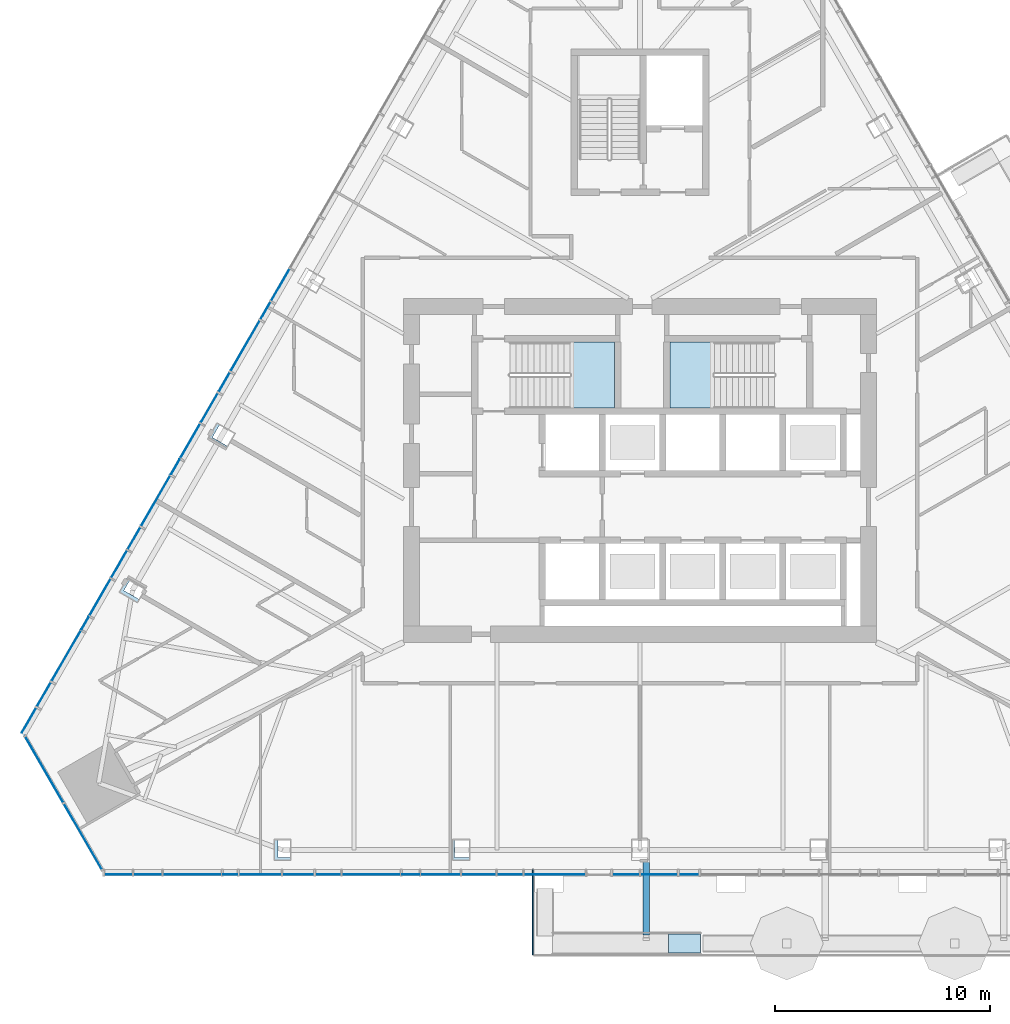
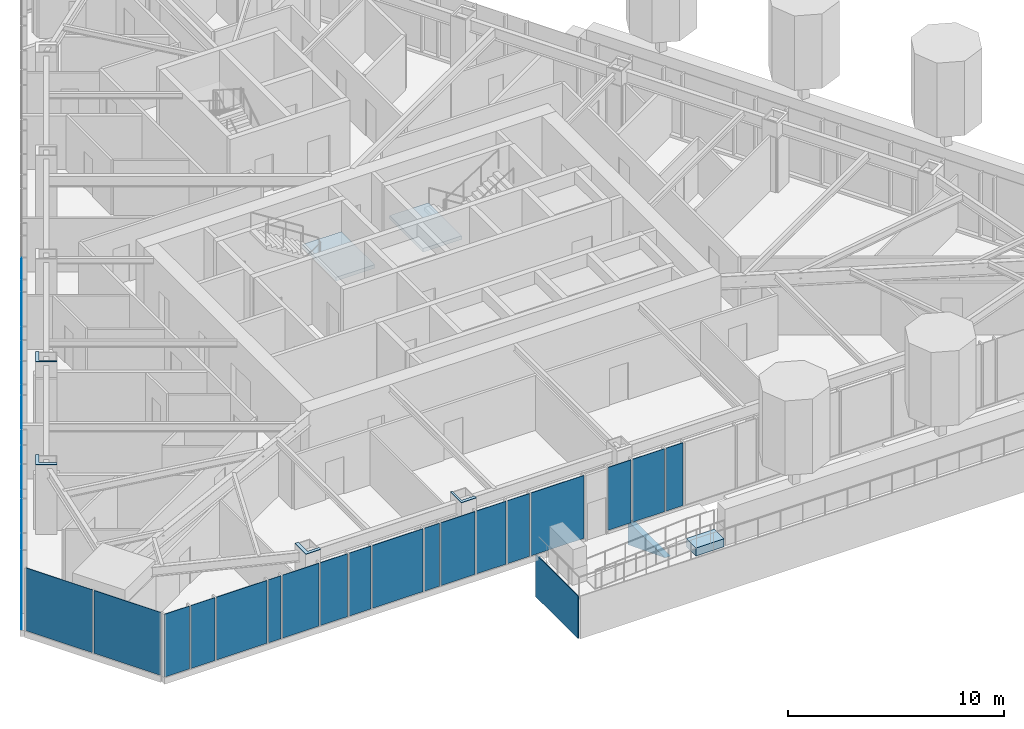
# One storey, part 7 of 18: 39 plates, 3 slabs, 5 elements without a shape of their own.
"""IFC4 building model written with IfcOpenShell, lengths in metres."""

from ifc_helpers import new_model, si_unit, direction, frame, origin, place, context, subcontext, project, spatial, polyline, outline, extrude, material, layer, layer_set, type_object, element, aggregate, save


model = new_model("IFC4")

# Units and contexts
model_context = context("Model", 3, precision=1e-05, world=origin(), true_north=direction((0.0, 1.0)))
body_context = subcontext(model_context, "Body", "Model", "MODEL_VIEW")
ifc_project = project(units=[si_unit("LENGTHUNIT", "METRE"), si_unit("AREAUNIT", "SQUARE_METRE"), si_unit("VOLUMEUNIT", "CUBIC_METRE"), si_unit("PLANEANGLEUNIT", "RADIAN"), si_unit("MASSUNIT", "GRAM", prefix="KILO")], contexts=[model_context])

# Site, building, storey
site_placement = place(None, origin())
site = spatial("IfcSite", under=ifc_project, at=site_placement, CompositionType="ELEMENT")
building_placement = place(site_placement, origin())
building = spatial("IfcBuilding", under=site, at=building_placement, Name="Firuza Gate Tower and Library", CompositionType="ELEMENT")
storey_placement = place(building_placement, frame((0.0, 0.0, 226.0)))
storey = spatial("IfcBuildingStorey", under=building, at=storey_placement, Name="L53", CompositionType="ELEMENT", Elevation=226.0)

# Plates
ifc_material_1 = material(Name="Steel S355", Category="steel")
ifc_layer_1 = layer(ifc_material_1, 0.030029296875)
ifc_layer_set_1 = layer_set([ifc_layer_1], Name="Column infill plate 30 Steel S355")
plate_type_1 = type_object("IfcPlateType", Name="Column infill plate 30 Steel S355", PredefinedType="SHEET", material=ifc_layer_set_1)
placement_1 = place(storey_placement, frame((0.0, 0.0, 3.89990234375)))
element("IfcPlate", 1, at=placement_1, inside=storey, type_object=plate_type_1, Name="Infill plate L53:S1", PredefinedType="SHEET", context=body_context, shape_type="SweptSolid", body=[
    extrude(outline(polyline([(58.764892578125, 56.836669921875), (58.764892578125, 56.99609375), (58.14892578125, 56.99609375), (58.14892578125, 57.836669921875), (57.96484375, 57.836669921875), (57.96484375, 56.836669921875), (58.764892578125, 56.836669921875)])), origin(), (0.0, 0.0, 1.0), 0.030029296875),
])
element("IfcPlate", 2, at=placement_1, inside=storey, type_object=plate_type_1, Name="Infill plate L53:S2", PredefinedType="SHEET", context=body_context, shape_type="SweptSolid", body=[
    extrude(outline(polyline([(67.08251953125, 56.836669921875), (67.08251953125, 56.99609375), (66.37451171875, 56.99609375), (66.37451171875, 57.836669921875), (66.282470703125, 57.836669921875), (66.282470703125, 56.836669921875), (67.08251953125, 56.836669921875)])), origin(), (0.0, 0.0, 1.0), 0.030029296875),
])
element("IfcPlate", 3, at=placement_1, inside=storey, type_object=plate_type_1, Name="Infill plate L53:W4", PredefinedType="SHEET", context=body_context, shape_type="SweptSolid", body=[
    extrude(outline(polyline([(55.77734375, 76.031982421875), (55.8232421875, 76.11181640625), (55.09521484375, 76.531982421875), (55.44921875, 77.145263671875), (55.311279296875, 77.224853515625), (54.9111328125, 76.531982421875), (55.77734375, 76.031982421875)])), origin(), (0.0, 0.0, 1.0), 0.030029296875),
])
element("IfcPlate", 4, at=placement_1, inside=storey, type_object=plate_type_1, Name="Infill plate L53:W5", PredefinedType="SHEET", context=body_context, shape_type="SweptSolid", body=[
    extrude(outline(polyline([(51.618408203125, 68.828857421875), (51.71044921875, 68.98828125), (50.982666015625, 69.408447265625), (51.29052734375, 69.94189453125), (51.15234375, 70.021728515625), (50.75244140625, 69.328857421875), (51.618408203125, 68.828857421875)])), origin(), (0.0, 0.0, 1.0), 0.030029296875),
])

# Curtain wall, plates
ifc_material_2 = material(Name="Aluminium 6063-T6", Category="aluminium")
ifc_layer_2 = layer(ifc_material_2, 0.14990234375)
ifc_layer_set_2 = layer_set([ifc_layer_2], Name="Corner curtain wall, chamfers")
curtain_wall_type_1 = type_object("IfcCurtainWallType", Name="Corner curtain wall, chamfers", PredefinedType="NOTDEFINED", material=ifc_layer_set_2)
placement_2 = place(storey_placement, origin())
curtain_wall_1 = element("IfcCurtainWall", 5, at=placement_2, inside=storey, type_object=curtain_wall_type_1, Name="CW4 L53 SW corner", PredefinedType="NOTDEFINED")
ifc_material_3 = material(Name="Fritted glass", Category="glass")
ifc_layer_3 = layer(ifc_material_3, 0.030029296875)
ifc_layer_set_3 = layer_set([ifc_layer_3], Name="Fritted glass unit, corners")
plate_type_2 = type_object("IfcPlateType", Name="Fritted glass unit, corners", PredefinedType="CURTAIN_PANEL", material=ifc_layer_set_3)
plate_5_placement = place(storey_placement, frame((46.36767578125, 62.6298828125, 0.14990234375), z_axis=(-0.866046390552, -0.49996364809, 0.0), x_axis=(0.49996364809, -0.866046390552, 0.0)))
plate_5 = element("IfcPlate", 6, at=plate_5_placement, type_object=plate_type_2, Name="Glass unit", PredefinedType="CURTAIN_PANEL", context=body_context, shape_type="SweptSolid", body=[
    extrude(outline(polyline([(0.0, 0.0), (3.563247342942594, 0.0), (3.563247342942594, 3.550048828125), (0.0, 3.550048828125), (0.0, 0.0)])), origin(), (0.0, 0.0, -1.0), 0.030029296875),
])
plate_6_placement = place(storey_placement, frame((48.189208984375, 59.474609375, 0.14990234375), z_axis=(-0.866016723041, -0.500015035186, 0.0), x_axis=(0.500015035186, -0.866016723041, 0.0)))
plate_6 = element("IfcPlate", 7, at=plate_6_placement, type_object=plate_type_2, Name="Glass unit", PredefinedType="CURTAIN_PANEL", context=body_context, shape_type="SweptSolid", body=[
    extrude(outline(polyline([(0.0, 0.0), (3.5633694106530625, 0.0), (3.5633694106530625, 3.550048828125), (0.0, 3.550048828125), (0.0, 0.0)])), origin(), (0.0, 0.0, -1.0), 0.030029296875),
])
aggregate(curtain_wall_1, [plate_5, plate_6])

ifc_material_4 = material(Name="Aluminium 6063-T6", Category="aluminium")
ifc_layer_4 = layer(ifc_material_4, 0.14990234375)
ifc_layer_set_4 = layer_set([ifc_layer_4], Name="Unitised curtain wall, hotel")
curtain_wall_type_2 = type_object("IfcCurtainWallType", Name="Unitised curtain wall, hotel", PredefinedType="NOTDEFINED", material=ifc_layer_set_4)
curtain_wall_2 = element("IfcCurtainWall", 8, at=placement_2, inside=storey, type_object=curtain_wall_type_2, Name="CW2 L53 S face", PredefinedType="NOTDEFINED")
ifc_material_5 = material(Name="Fritted glass", Category="glass")
ifc_layer_5 = layer(ifc_material_5, 0.030029296875)
ifc_layer_set_5 = layer_set([ifc_layer_5], Name="Fritted glass unit, hotel")
plate_type_3 = type_object("IfcPlateType", Name="Fritted glass unit, hotel", PredefinedType="CURTAIN_PANEL", material=ifc_layer_set_5)
plate_7_placement = place(storey_placement, frame((50.0439453125, 56.176513671875, 0.14990234375), z_axis=(0.0, -1.0, 0.0), x_axis=(1.0, 0.0, 0.0)))
plate_7 = element("IfcPlate", 9, at=plate_7_placement, type_object=plate_type_3, Name="Glass unit", PredefinedType="CURTAIN_PANEL", context=body_context, shape_type="SweptSolid", body=[
    extrude(outline(polyline([(0.0, 0.0), (1.328369140625, 0.0), (1.328369140625, 3.550048828125), (0.0, 3.550048828125), (0.0, 0.0)])), origin(), (0.0, 0.0, -1.0), 0.030029296875),
])
plate_8_placement = place(storey_placement, frame((56.349365234375, 56.176513671875, 0.14990234375), z_axis=(0.0, -1.0, 0.0), x_axis=(1.0, 0.0, 0.0)))
plate_8 = element("IfcPlate", 10, at=plate_8_placement, type_object=plate_type_3, Name="Glass unit", PredefinedType="CURTAIN_PANEL", context=body_context, shape_type="SweptSolid", body=[
    extrude(outline(polyline([(0.0, 0.0), (1.946533203125, 0.0), (1.946533203125, 3.550048828125), (0.0, 3.550048828125), (0.0, 0.0)])), origin(), (0.0, 0.0, -1.0), 0.030029296875),
])
plate_9_placement = place(storey_placement, frame((58.3759765625, 56.176513671875, 0.14990234375), z_axis=(0.0, -1.0, 0.0), x_axis=(1.0, 0.0, 0.0)))
plate_9 = element("IfcPlate", 11, at=plate_9_placement, type_object=plate_type_3, Name="Glass unit", PredefinedType="CURTAIN_PANEL", context=body_context, shape_type="SweptSolid", body=[
    extrude(outline(polyline([(0.0, 0.0), (1.451904296875, 0.0), (1.451904296875, 3.550048828125), (0.0, 3.550048828125), (0.0, 0.0)])), origin(), (0.0, 0.0, -1.0), 0.030029296875),
])
plate_10_placement = place(storey_placement, frame((64.80517578125, 56.176513671875, 0.14990234375), z_axis=(0.0, -1.0, 0.0), x_axis=(1.0, 0.0, 0.0)))
plate_10 = element("IfcPlate", 12, at=plate_10_placement, type_object=plate_type_3, Name="Glass unit", PredefinedType="CURTAIN_PANEL", context=body_context, shape_type="SweptSolid", body=[
    extrude(outline(polyline([(0.0, 0.0), (1.82275390625, 0.0), (1.82275390625, 3.550048828125), (0.0, 3.550048828125), (0.0, 0.0)])), origin(), (0.0, 0.0, -1.0), 0.030029296875),
])
plate_11_placement = place(storey_placement, frame((66.7080078125, 56.176513671875, 0.14990234375), z_axis=(0.0, -1.0, 0.0), x_axis=(1.0, 0.0, 0.0)))
plate_11 = element("IfcPlate", 13, at=plate_11_placement, type_object=plate_type_3, Name="Glass unit", PredefinedType="CURTAIN_PANEL", context=body_context, shape_type="SweptSolid", body=[
    extrude(outline(polyline([(0.0, 0.0), (1.575439453125, 0.0), (1.575439453125, 3.550048828125), (0.0, 3.550048828125), (0.0, 0.0)])), origin(), (0.0, 0.0, -1.0), 0.030029296875),
])
plate_12_placement = place(storey_placement, frame((73.72802734375, 56.176513671875, 0.14990234375), z_axis=(0.0, -1.0, 0.0), x_axis=(1.0, 0.0, 0.0)))
plate_12 = element("IfcPlate", 14, at=plate_12_placement, type_object=plate_type_3, Name="Glass unit", PredefinedType="CURTAIN_PANEL", context=body_context, shape_type="SweptSolid", body=[
    extrude(outline(polyline([(0.0, 0.0), (1.23193359375, 0.0), (1.23193359375, 3.550048828125), (0.0, 3.550048828125), (0.0, 0.0)])), origin(), (0.0, 0.0, -1.0), 0.030029296875),
])
plate_13_placement = place(storey_placement, frame((75.0400390625, 56.176513671875, 0.14990234375), z_axis=(0.0, -1.0, 0.0), x_axis=(1.0, 0.0, 0.0)))
plate_13 = element("IfcPlate", 15, at=plate_13_placement, type_object=plate_type_3, Name="Glass unit", PredefinedType="CURTAIN_PANEL", context=body_context, shape_type="SweptSolid", body=[
    extrude(outline(polyline([(0.0, 0.0), (1.69921875, 0.0), (1.69921875, 3.550048828125), (0.0, 3.550048828125), (0.0, 0.0)])), origin(), (0.0, 0.0, -1.0), 0.030029296875),
])

curtain_wall_3 = element("IfcCurtainWall", 16, at=placement_2, inside=storey, type_object=curtain_wall_type_2, Name="CW2 L53 W face", PredefinedType="NOTDEFINED")
plate_14_placement = place(storey_placement, frame((58.678466796875, 84.376953125, 0.14990234375), z_axis=(-0.866006119872, 0.500033399229, 0.0), x_axis=(-0.500033399229, -0.866006119872, 0.0)))
plate_14 = element("IfcPlate", 17, at=plate_14_placement, type_object=plate_type_3, Name="Glass unit", PredefinedType="CURTAIN_PANEL", context=body_context, shape_type="SweptSolid", body=[
    extrude(outline(polyline([(0.0, 0.0), (1.699105252388804, 0.0), (1.699105252388804, 3.550048828125001), (0.0, 3.550048828125001), (0.0, 0.0)])), origin(), (0.0, 0.0, -1.0), 0.030029296875),
])
plate_15_placement = place(storey_placement, frame((55.34033203125, 78.594970703125, 0.14990234375), z_axis=(-0.865973950769, 0.500089108649, 0.0), x_axis=(-0.500089108649, -0.865973950769, 0.0)))
plate_15 = element("IfcPlate", 18, at=plate_15_placement, type_object=plate_type_3, Name="Glass unit", PredefinedType="CURTAIN_PANEL", context=body_context, shape_type="SweptSolid", body=[
    extrude(outline(polyline([(0.0, 0.0), (1.5754028297138842, 0.0), (1.5754028297138842, 3.550048828125), (0.0, 3.550048828125), (0.0, 0.0)])), origin(), (0.0, 0.0, -1.0), 0.030029296875),
])
plate_16_placement = place(storey_placement, frame((54.512451171875, 77.161376953125, 0.14990234375), z_axis=(-0.86603391986, 0.499985249434, 0.0), x_axis=(-0.499985249434, -0.86603391986, 0.0)))
plate_16 = element("IfcPlate", 19, at=plate_16_placement, type_object=plate_type_3, Name="Glass unit", PredefinedType="CURTAIN_PANEL", context=body_context, shape_type="SweptSolid", body=[
    extrude(outline(polyline([(0.0, 0.0), (1.8228076811409097, 0.0), (1.8228076811409097, 3.550048828125), (0.0, 3.550048828125), (0.0, 0.0)])), origin(), (0.0, 0.0, -1.0), 0.030029296875),
])
plate_17_placement = place(storey_placement, frame((51.1123046875, 71.272216796875, 0.14990234375), z_axis=(-0.866051171823, 0.499955365792, 0.0), x_axis=(-0.499955365792, -0.866051171823, 0.0)))
plate_17 = element("IfcPlate", 20, at=plate_17_placement, type_object=plate_type_3, Name="Glass unit", PredefinedType="CURTAIN_PANEL", context=body_context, shape_type="SweptSolid", body=[
    extrude(outline(polyline([(0.0, 0.0), (1.4517897552215477, 0.0), (1.4517897552215477, 3.550048828125001), (0.0, 3.550048828125001), (0.0, 0.0)])), origin(), (0.0, 0.0, -1.0), 0.030029296875),
])
plate_18_placement = place(storey_placement, frame((50.346435546875, 69.945556640625, 0.14990234375), z_axis=(-0.866058184233, 0.499943218299, 0.0), x_axis=(-0.499943218299, -0.866058184233, 0.0)))
plate_18 = element("IfcPlate", 21, at=plate_18_placement, type_object=plate_type_3, Name="Glass unit", PredefinedType="CURTAIN_PANEL", context=body_context, shape_type="SweptSolid", body=[
    extrude(outline(polyline([(0.0, 0.0), (1.94651011481157, 0.0), (1.94651011481157, 3.550048828125), (0.0, 3.550048828125), (0.0, 0.0)])), origin(), (0.0, 0.0, -1.0), 0.030029296875),
])
plate_19_placement = place(storey_placement, frame((46.884521484375, 63.949462890625, 0.14990234375), z_axis=(-0.866063163075, 0.499934593286, 0.0), x_axis=(-0.499934593286, -0.866063163075, 0.0)))
plate_19 = element("IfcPlate", 22, at=plate_19_placement, type_object=plate_type_3, Name="Glass unit", PredefinedType="CURTAIN_PANEL", context=body_context, shape_type="SweptSolid", body=[
    extrude(outline(polyline([(0.0, 0.0), (1.3282987593136344, 0.0), (1.3282987593136344, 3.550048828125), (0.0, 3.550048828125), (0.0, 0.0)])), origin(), (0.0, 0.0, -1.0), 0.030029296875),
])

# Slab
ifc_material_6 = material(Name="Concrete C40/50", Category="concrete")
ifc_layer_6 = layer(ifc_material_6, 0.449951171875)
ifc_layer_set_6 = layer_set([ifc_layer_6], Name="Garden deck 450")
slab_type_1 = type_object("IfcSlabType", Name="Garden deck 450", PredefinedType="FLOOR", material=ifc_layer_set_6)
element("IfcSlab", 23, at=placement_2, inside=storey, type_object=slab_type_1, Name="Garden deck 6", PredefinedType="FLOOR", context=body_context, shape_type="SweptSolid", body=[
    extrude(outline(polyline([(76.324462890625, 52.53662109375), (77.825927734375, 52.53662109375), (77.825927734375, 53.4365234375), (76.324462890625, 53.4365234375), (76.324462890625, 52.53662109375)])), origin(), (0.0, 0.0, 1.0), 0.449951171875),
])

# Plate
ifc_material_7 = material(Name="Glazed ceramic tile")
ifc_layer_7 = layer(ifc_material_7, 0.030029296875)
ifc_layer_set_7 = layer_set([ifc_layer_7], Name="Opaque ceramic panel, hotel")
plate_type_4 = type_object("IfcPlateType", Name="Opaque ceramic panel, hotel", PredefinedType="CURTAIN_PANEL", material=ifc_layer_set_7)
plate_20_placement = place(storey_placement, frame((51.4521484375, 56.176513671875, 0.14990234375), z_axis=(0.0, -1.0, 0.0), x_axis=(1.0, 0.0, 0.0)))
plate_20 = element("IfcPlate", 24, at=plate_20_placement, type_object=plate_type_4, Name="Opaque ceramic panel", PredefinedType="CURTAIN_PANEL", context=body_context, shape_type="SweptSolid", body=[
    extrude(outline(polyline([(0.0, 0.0), (1.2890625, 0.0), (1.2890625, 3.550048828125), (0.0, 3.550048828125), (0.0, 0.0)])), origin(), (0.0, 0.0, -1.0), 0.030029296875),
])

plate_21_placement = place(storey_placement, frame((52.8212890625, 56.176513671875, 0.14990234375), z_axis=(0.0, -1.0, 0.0), x_axis=(1.0, 0.0, 0.0)))
plate_21 = element("IfcPlate", 25, at=plate_21_placement, type_object=plate_type_4, Name="Opaque ceramic panel", PredefinedType="CURTAIN_PANEL", context=body_context, shape_type="SweptSolid", body=[
    extrude(outline(polyline([(0.0, 0.0), (2.697265625, 0.0), (2.697265625, 3.550048828125), (0.0, 3.550048828125), (0.0, 0.0)])), origin(), (0.0, 0.0, -1.0), 0.030029296875),
])

plate_22_placement = place(storey_placement, frame((55.5986328125, 56.176513671875, 0.14990234375), z_axis=(0.0, -1.0, 0.0), x_axis=(1.0, 0.0, 0.0)))
plate_22 = element("IfcPlate", 26, at=plate_22_placement, type_object=plate_type_4, Name="Opaque ceramic panel", PredefinedType="CURTAIN_PANEL", context=body_context, shape_type="SweptSolid", body=[
    extrude(outline(polyline([(0.0, 0.0), (0.6708984375, 0.0), (0.6708984375, 3.550048828125), (0.0, 3.550048828125), (0.0, 0.0)])), origin(), (0.0, 0.0, -1.0), 0.030029296875),
])

plate_23_placement = place(storey_placement, frame((59.907958984375, 56.176513671875, 0.14990234375), z_axis=(0.0, -1.0, 0.0), x_axis=(1.0, 0.0, 0.0)))
plate_23 = element("IfcPlate", 27, at=plate_23_placement, type_object=plate_type_4, Name="Opaque ceramic panel", PredefinedType="CURTAIN_PANEL", context=body_context, shape_type="SweptSolid", body=[
    extrude(outline(polyline([(0.0, 0.0), (1.165283203125, 0.0), (1.165283203125, 3.550048828125), (0.0, 3.550048828125), (0.0, 0.0)])), origin(), (0.0, 0.0, -1.0), 0.030029296875),
])

plate_24_placement = place(storey_placement, frame((61.1533203125, 56.176513671875, 0.14990234375), z_axis=(0.0, -1.0, 0.0), x_axis=(1.0, 0.0, 0.0)))
plate_24 = element("IfcPlate", 28, at=plate_24_placement, type_object=plate_type_4, Name="Opaque ceramic panel", PredefinedType="CURTAIN_PANEL", context=body_context, shape_type="SweptSolid", body=[
    extrude(outline(polyline([(0.0, 0.0), (2.697265625, 0.0), (2.697265625, 3.550048828125), (0.0, 3.550048828125), (0.0, 0.0)])), origin(), (0.0, 0.0, -1.0), 0.030029296875),
])

plate_25_placement = place(storey_placement, frame((63.9306640625, 56.176513671875, 0.14990234375), z_axis=(0.0, -1.0, 0.0), x_axis=(1.0, 0.0, 0.0)))
plate_25 = element("IfcPlate", 29, at=plate_25_placement, type_object=plate_type_4, Name="Opaque ceramic panel", PredefinedType="CURTAIN_PANEL", context=body_context, shape_type="SweptSolid", body=[
    extrude(outline(polyline([(0.0, 0.0), (0.79443359375, 0.0), (0.79443359375, 3.550048828125), (0.0, 3.550048828125), (0.0, 0.0)])), origin(), (0.0, 0.0, -1.0), 0.030029296875),
])

plate_26_placement = place(storey_placement, frame((68.363525390625, 56.176513671875, 0.14990234375), z_axis=(0.0, -1.0, 0.0), x_axis=(1.0, 0.0, 0.0)))
plate_26 = element("IfcPlate", 30, at=plate_26_placement, type_object=plate_type_4, Name="Opaque ceramic panel", PredefinedType="CURTAIN_PANEL", context=body_context, shape_type="SweptSolid", body=[
    extrude(outline(polyline([(0.0, 0.0), (1.174560546875, 0.0), (1.174560546875, 3.550048828125), (0.0, 3.550048828125), (0.0, 0.0)])), origin(), (0.0, 0.0, -1.0), 0.030029296875),
])

plate_27_placement = place(storey_placement, frame((69.617919921875, 56.176513671875, 0.14990234375), z_axis=(0.0, -1.0, 0.0), x_axis=(1.0, 0.0, 0.0)))
plate_27 = element("IfcPlate", 31, at=plate_27_placement, type_object=plate_type_4, Name="Opaque ceramic panel", PredefinedType="CURTAIN_PANEL", context=body_context, shape_type="SweptSolid", body=[
    extrude(outline(polyline([(0.0, 0.0), (2.830078125, 0.0), (2.830078125, 3.550048828125), (0.0, 3.550048828125), (0.0, 0.0)])), origin(), (0.0, 0.0, -1.0), 0.030029296875),
])

plate_28_placement = place(storey_placement, frame((76.8193359375, 56.176513671875, 0.14990234375), z_axis=(0.0, -1.0, 0.0), x_axis=(1.0, 0.0, 0.0)))
plate_28 = element("IfcPlate", 32, at=plate_28_placement, type_object=plate_type_4, Name="Opaque ceramic panel", PredefinedType="CURTAIN_PANEL", context=body_context, shape_type="SweptSolid", body=[
    extrude(outline(polyline([(0.0, 0.0), (0.91796875, 0.0), (0.91796875, 3.550048828125), (0.0, 3.550048828125), (0.0, 0.0)])), origin(), (0.0, 0.0, -1.0), 0.030029296875),
])

aggregate(curtain_wall_2, [plate_7, plate_20, plate_21, plate_22, plate_8, plate_9, plate_23, plate_24, plate_25, plate_10, plate_11, plate_26, plate_27, plate_12, plate_13, plate_28])

plate_29_placement = place(storey_placement, frame((57.788818359375, 82.836181640625, 0.14990234375), z_axis=(-0.866074891173, 0.499914275531, 0.0), x_axis=(-0.499914275531, -0.866074891173, 0.0)))
plate_29 = element("IfcPlate", 33, at=plate_29_placement, type_object=plate_type_4, Name="Opaque ceramic panel", PredefinedType="CURTAIN_PANEL", context=body_context, shape_type="SweptSolid", body=[
    extrude(outline(polyline([(0.0, 0.0), (0.9181261617550599, 0.0), (0.9181261617550599, 3.550048828125), (0.0, 3.550048828125), (0.0, 0.0)])), origin(), (0.0, 0.0, -1.0), 0.030029296875),
])

plate_30_placement = place(storey_placement, frame((57.289794921875, 81.971923828125, 0.14990234375), z_axis=(-0.866051453367, 0.499954878085, 0.0), x_axis=(-0.499954878085, -0.866051453367, 0.0)))
plate_30 = element("IfcPlate", 34, at=plate_30_placement, type_object=plate_type_4, Name="Opaque ceramic panel", PredefinedType="CURTAIN_PANEL", context=body_context, shape_type="SweptSolid", body=[
    extrude(outline(polyline([(0.0, 0.0), (2.697509058547344, 0.0), (2.697509058547344, 3.550048828125001), (0.0, 3.550048828125001), (0.0, 0.0)])), origin(), (0.0, 0.0, -1.0), 0.030029296875),
])

plate_31_placement = place(storey_placement, frame((55.901123046875, 79.566650390625, 0.14990234375), z_axis=(-0.866013897511, 0.50001992892, 0.0), x_axis=(-0.50001992892, -0.866013897511, 0.0)))
plate_31 = element("IfcPlate", 35, at=plate_31_placement, type_object=plate_type_4, Name="Opaque ceramic panel", PredefinedType="CURTAIN_PANEL", context=body_context, shape_type="SweptSolid", body=[
    extrude(outline(polyline([(0.0, 0.0), (1.0419506575970003, 0.0), (1.0419506575970003, 3.550048828125), (0.0, 3.550048828125), (0.0, 0.0)])), origin(), (0.0, 0.0, -1.0), 0.030029296875),
])

plate_32_placement = place(storey_placement, frame((53.56103515625, 75.513427734375, 0.14990234375), z_axis=(-0.866021818598, 0.500006209673, 0.0), x_axis=(-0.500006209673, -0.866021818598, 0.0)))
plate_32 = element("IfcPlate", 36, at=plate_32_placement, type_object=plate_type_4, Name="Opaque ceramic panel", PredefinedType="CURTAIN_PANEL", context=body_context, shape_type="SweptSolid", body=[
    extrude(outline(polyline([(0.0, 0.0), (0.7944237275264152, 0.0), (0.7944237275264152, 3.550048828125), (0.0, 3.550048828125), (0.0, 0.0)])), origin(), (0.0, 0.0, -1.0), 0.030029296875),
])

plate_33_placement = place(storey_placement, frame((53.123779296875, 74.756103515625, 0.14990234375), z_axis=(-0.866028828302, 0.499994068514, 0.0), x_axis=(-0.499994068514, -0.866028828302, 0.0)))
plate_33 = element("IfcPlate", 37, at=plate_33_placement, type_object=plate_type_4, Name="Opaque ceramic panel", PredefinedType="CURTAIN_PANEL", context=body_context, shape_type="SweptSolid", body=[
    extrude(outline(polyline([(0.0, 0.0), (2.6972976229659773, 0.0), (2.6972976229659773, 3.550048828125001), (0.0, 3.550048828125001), (0.0, 0.0)])), origin(), (0.0, 0.0, -1.0), 0.030029296875),
])

plate_34_placement = place(storey_placement, frame((51.735107421875, 72.350830078125, 0.14990234375), z_axis=(-0.866004178273, 0.500036761862, 0.0), x_axis=(-0.500036761862, -0.866004178273, 0.0)))
plate_34 = element("IfcPlate", 38, at=plate_34_placement, type_object=plate_type_4, Name="Opaque ceramic panel", PredefinedType="CURTAIN_PANEL", context=body_context, shape_type="SweptSolid", body=[
    extrude(outline(polyline([(0.0, 0.0), (1.1654416561391172, 0.0), (1.1654416561391172, 3.5500488281249996), (0.0, 3.5500488281249996), (0.0, 0.0)])), origin(), (0.0, 0.0, -1.0), 0.030029296875),
])

plate_35_placement = place(storey_placement, frame((49.333251953125, 68.190673828125, 0.14990234375), z_axis=(-0.866040157966, 0.499974444137, 0.0), x_axis=(-0.499974444137, -0.866040157966, 0.0)))
plate_35 = element("IfcPlate", 39, at=plate_35_placement, type_object=plate_type_4, Name="Opaque ceramic panel", PredefinedType="CURTAIN_PANEL", context=body_context, shape_type="SweptSolid", body=[
    extrude(outline(polyline([(0.0, 0.0), (0.6709327300301484, 0.0), (0.6709327300301484, 3.550048828125), (0.0, 3.550048828125), (0.0, 0.0)])), origin(), (0.0, 0.0, -1.0), 0.030029296875),
])

plate_36_placement = place(storey_placement, frame((48.957763671875, 67.540283203125, 0.14990234375), z_axis=(-0.866028828302, 0.499994068514, 0.0), x_axis=(-0.499994068514, -0.866028828302, 0.0)))
plate_36 = element("IfcPlate", 40, at=plate_36_placement, type_object=plate_type_4, Name="Opaque ceramic panel", PredefinedType="CURTAIN_PANEL", context=body_context, shape_type="SweptSolid", body=[
    extrude(outline(polyline([(0.0, 0.0), (2.6972976229659773, 0.0), (2.6972976229659773, 3.550048828125001), (0.0, 3.550048828125001), (0.0, 0.0)])), origin(), (0.0, 0.0, -1.0), 0.030029296875),
])

plate_37_placement = place(storey_placement, frame((47.569091796875, 65.135009765625, 0.14990234375), z_axis=(-0.865996321171, 0.50005036918, 0.0), x_axis=(-0.50005036918, -0.865996321171, 0.0)))
plate_37 = element("IfcPlate", 41, at=plate_37_placement, type_object=plate_type_4, Name="Opaque ceramic panel", PredefinedType="CURTAIN_PANEL", context=body_context, shape_type="SweptSolid", body=[
    extrude(outline(polyline([(0.0, 0.0), (1.2889326550371791, 0.0), (1.2889326550371791, 3.550048828125), (0.0, 3.550048828125), (0.0, 0.0)])), origin(), (0.0, 0.0, -1.0), 0.030029296875),
])

aggregate(curtain_wall_3, [plate_14, plate_29, plate_30, plate_31, plate_15, plate_16, plate_32, plate_33, plate_34, plate_17, plate_18, plate_35, plate_36, plate_37, plate_19])

# Stair, slab
ifc_material_8 = material(Name="Concrete C35/45", Category="concrete")
stair_type = type_object("IfcStairType", Name="Exit stair ST7", PredefinedType="HALF_TURN_STAIR", material=ifc_material_8)
stair_1 = element("IfcStair", 42, at=placement_2, inside=storey, type_object=stair_type, Name="L53 Stair ST1", PredefinedType="HALF_TURN_STAIR")
ifc_material_9 = material(Name="Concrete C35/45", Category="concrete")
ifc_layer_8 = layer(ifc_material_9, 0.199951171875)
ifc_layer_set_8 = layer_set([ifc_layer_8], Name="Stair landing 200")
slab_type_2 = type_object("IfcSlabType", Name="Stair landing 200", PredefinedType="LANDING", material=ifc_layer_set_8)
placement_3 = place(storey_placement, frame((0.0, 0.0, 1.75)))
slab_2 = element("IfcSlab", 43, at=placement_3, type_object=slab_type_2, Name="ST1 landing 1", PredefinedType="LANDING", context=body_context, shape_type="SweptSolid", body=[
    extrude(outline(polyline([(71.739990234375, 77.89990234375), (73.81005859375, 77.89990234375), (73.81005859375, 80.97998046875), (71.739990234375, 80.97998046875), (71.739990234375, 77.89990234375)])), origin(), (0.0, 0.0, 1.0), 0.199951171875),
])
aggregate(stair_1, [slab_2])

stair_2 = element("IfcStair", 44, at=placement_2, inside=storey, type_object=stair_type, Name="L53 Stair ST2", PredefinedType="HALF_TURN_STAIR")
slab_3 = element("IfcSlab", 45, at=placement_3, type_object=slab_type_2, Name="ST2 landing 1", PredefinedType="LANDING", context=body_context, shape_type="SweptSolid", body=[
    extrude(outline(polyline([(78.4599609375, 80.97998046875), (76.389892578125, 80.97998046875), (76.389892578125, 77.89990234375), (78.4599609375, 77.89990234375), (78.4599609375, 80.97998046875)])), origin(), (0.0, 0.0, 1.0), 0.199951171875),
])
aggregate(stair_2, [slab_3])

# Plates
ifc_material_10 = material(Name="Steel S355", Category="steel")
ifc_layer_9 = layer(ifc_material_10, 0.300048828125)
ifc_layer_set_9 = layer_set([ifc_layer_9], Name="Tray bracket web 300 Steel S355")
plate_type_5 = type_object("IfcPlateType", Name="Tray bracket web 300 Steel S355", PredefinedType="SHEET", material=ifc_layer_set_9)
plate_38_placement = place(storey_placement, frame((75.449951171875, 56.802001953125, -0.199951171875), z_axis=(1.0, 0.0, 0.0), x_axis=(0.0, -1.0, 0.0)))
element("IfcPlate", 46, at=plate_38_placement, inside=storey, type_object=plate_type_5, Name="Tray bracket web L53 col:L52:S3", PredefinedType="SHEET", context=body_context, shape_type="SweptSolid", body=[
    extrude(outline(polyline([(0.0, 0.0), (3.429931640625, 0.0), (0.0, 1.333984375), (0.0, 0.0)])), origin(), (0.0, 0.0, -1.0), 0.300048828125),
])
ifc_material_11 = material(Name="Aluminium 6063-T6", Category="aluminium")
ifc_layer_10 = layer(ifc_material_11, 0.050048828125)
ifc_layer_set_10 = layer_set([ifc_layer_10], Name="Tray fascia panel 50")
plate_type_6 = type_object("IfcPlateType", Name="Tray fascia panel 50", PredefinedType="SHEET", material=ifc_layer_set_10)
plate_39_placement = place(storey_placement, frame((69.97607421875, 56.406982421875, -2.39990234375), z_axis=(-1.0, 0.0, 0.0), x_axis=(0.0, -1.0, 0.0)))
element("IfcPlate", 47, at=plate_39_placement, inside=storey, type_object=plate_type_6, Name="Tray fascia L53 8", PredefinedType="SHEET", context=body_context, shape_type="SweptSolid", body=[
    extrude(outline(polyline([(0.0, 0.0), (3.93994140625, 0.0), (3.93994140625, 2.39990234375), (0.0, 2.39990234375), (0.0, 0.0)])), origin(), (0.0, 0.0, -1.0), 0.050048828125),
])

save(model, "model.ifc")
